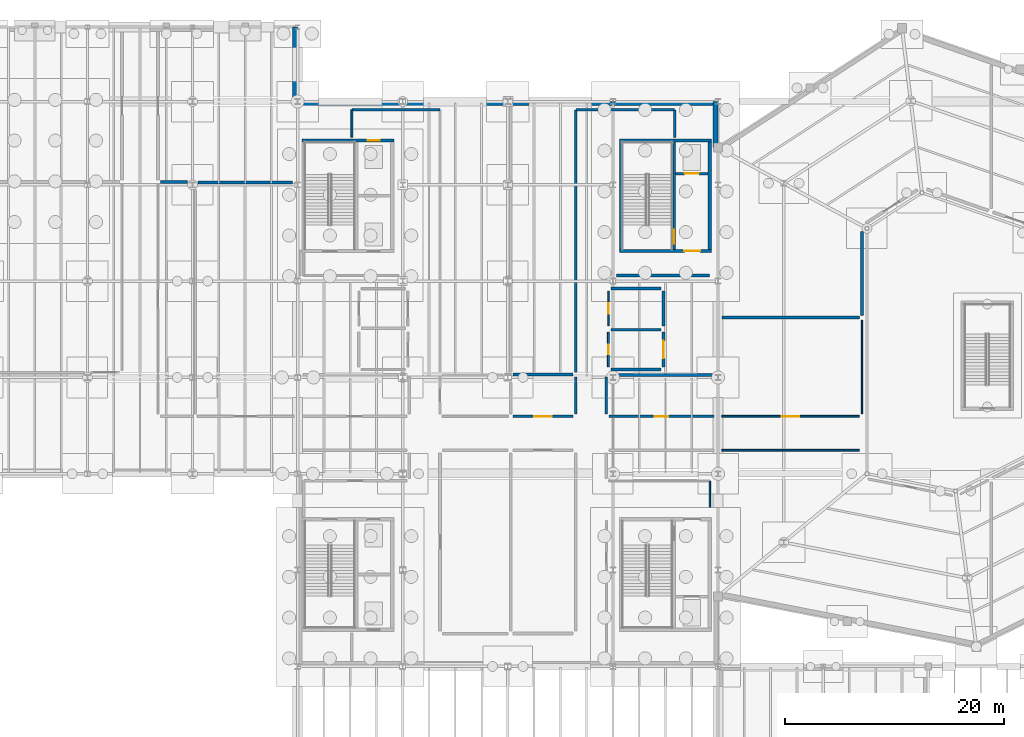
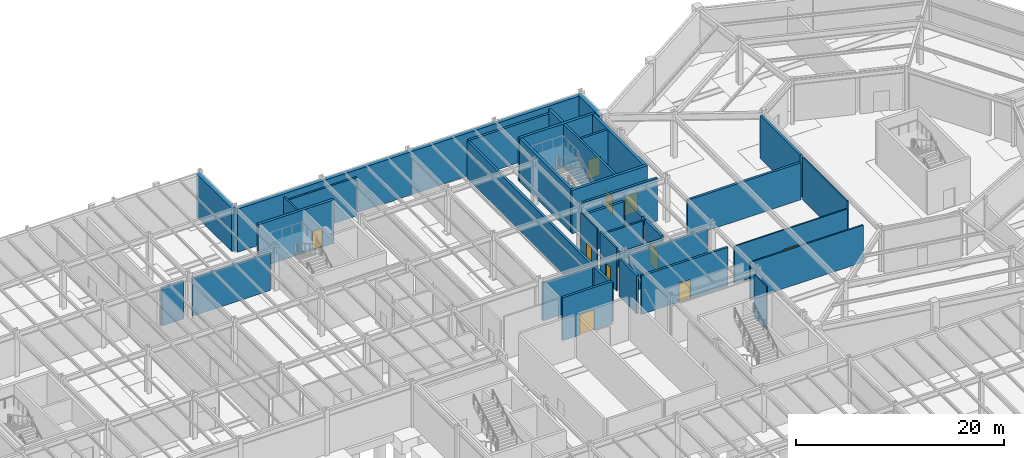
# One storey, part 36 of 48: 37 walls, 10 doors, 10 openings.
"""IFC4 building model written with IfcOpenShell, lengths in metres."""

from ifc_helpers import new_model, si_unit, direction, frame, frame_2d, origin, place, context, subcontext, project, spatial, rectangle, extrude, material, layer, layer_set, type_object, element, fill, save


model = new_model("IFC4")

# Units and contexts
model_context = context("Model", 3, precision=1e-05, world=origin(), true_north=direction((0.0, 1.0)))
body_context = subcontext(model_context, "Body", "Model", "MODEL_VIEW")
ifc_project = project(units=[si_unit("LENGTHUNIT", "METRE"), si_unit("AREAUNIT", "SQUARE_METRE"), si_unit("VOLUMEUNIT", "CUBIC_METRE"), si_unit("PLANEANGLEUNIT", "RADIAN"), si_unit("MASSUNIT", "GRAM", prefix="KILO")], contexts=[model_context])

# Site, building, storey
site_placement = place(None, origin())
site = spatial("IfcSite", under=ifc_project, at=site_placement, CompositionType="ELEMENT")
building_placement = place(site_placement, origin())
building = spatial("IfcBuilding", under=site, at=building_placement, Name="Sarnbrook Museum", CompositionType="ELEMENT")
storey_placement = place(building_placement, frame((0.0, 0.0, -5.39990234375)))
storey = spatial("IfcBuildingStorey", under=building, at=storey_placement, Name="B1", CompositionType="ELEMENT", Elevation=-5.39990234375)

# Wall, opening, door
ifc_material_1 = material(Name="Concrete N50 (AS 3600, f'c = 50 MPa)", Category="concrete")
ifc_layer_1 = layer(ifc_material_1, 0.300048828125)
ifc_layer_set_1 = layer_set([ifc_layer_1], Name="Concrete N50 (AS 3600, f'c = 50 MPa)")
wall_type_1 = type_object("IfcWallType", Name="CoreWall_CWRC", PredefinedType="SHEAR", material=ifc_layer_set_1)
wall_1_placement = place(storey_placement, frame((110.199951171875, 94.75, 0.0), z_axis=(0.0, 0.0, 1.0), x_axis=(1.0, 0.0, 0.0)))
wall_1 = element("IfcWall", 1, at=wall_1_placement, inside=storey, type_object=wall_type_1, Name="Core C2 Shear Wall S B1", PredefinedType="SHEAR", context=body_context, shape_type="SweptSolid", body=[
    extrude(rectangle(XDim=8.400146484375, YDim=0.300048828125, at=frame_2d((4.2001953125, 0.0))), origin(), (0.0, 0.0, 1.0), 5.094970703125),
])
opening_1_placement = place(wall_1_placement, frame((5.925048828125, 0.0, 0.0)))
opening_1 = element("IfcOpeningElement", 2, at=opening_1_placement, cuts=wall_1, Name="Opening D-LOB-C2-B1", PredefinedType="OPENING", context=body_context, shape_type="SweptSolid", body=[
    extrude(rectangle(XDim=1.449951171875, YDim=2.25, at=frame_2d((0.72509765625, 1.125))), frame((0.0, 0.16015625, 0.0), z_axis=(0.0, -1.0, 0.0), x_axis=(1.0, 0.0, 0.0)), (0.0, 0.0, 1.0), 0.320068359375),
])
ifc_material_2 = material(Name="Tasmanian Oak Acoustic Timber", Category="wood")
door_type_1 = type_object("IfcDoorType", Name="FireDoor_FD120W", OperationType="NOTDEFINED", PredefinedType="DOOR", material=ifc_material_2)
door_1_placement = place(opening_1_placement, origin())
door_1 = element("IfcDoor", 3, at=door_1_placement, inside=storey, type_object=door_type_1, Name="Core C2 Fire Lobby Entry Door B1", OperationType="SINGLE_SWING_RIGHT", OverallHeight=2.25, OverallWidth=1.449951171875, PredefinedType="DOOR", context=body_context, shape_type="SweptSolid", body=[
    extrude(rectangle(XDim=1.449951171875, YDim=2.25, at=frame_2d((0.72509765625, 1.125))), frame((0.0, 0.02490234375, 0.0), z_axis=(0.0, -1.0, 0.0), x_axis=(1.0, 0.0, 0.0)), (0.0, 0.0, 1.0), 0.050048828125),
])
fill(opening_1, door_1)

# Walls
wall_2_placement = place(storey_placement, frame((118.60009765625, 104.85009765625, 0.0), z_axis=(0.0, 0.0, 1.0), x_axis=(-1.0, 0.0, 0.0)))
element("IfcWall", 4, at=wall_2_placement, inside=storey, type_object=wall_type_1, Name="Core C2 Shear Wall N B1", PredefinedType="SHEAR", context=body_context, shape_type="SweptSolid", body=[
    extrude(rectangle(XDim=8.400146484375, YDim=0.300048828125, at=frame_2d((4.2001953125, 0.0))), origin(), (0.0, 0.0, 1.0), 5.094970703125),
])
for number, where, z_axis, x_axis, name in (
    (5, (118.449951171875, 94.909912109375, 0.0), (0.0, 0.0, 1.0), (0.0, 1.0, 0.0), "Core C2 Shear Wall E B1"),
    (6, (110.35009765625, 104.68994140625, 0.0), (0.0, 0.0, 1.0), (0.0, -1.0, 0.0), "Core C2 Shear Wall W B1"),
):
    element("IfcWall", number, at=place(storey_placement, frame(where, z_axis=z_axis, x_axis=x_axis)), inside=storey, type_object=wall_type_1, Name=name, PredefinedType="SHEAR", context=body_context, shape_type="SweptSolid", body=[
        extrude(rectangle(XDim=9.780029296875, YDim=0.300048828125, at=frame_2d((4.89013671875, 0.0))), origin(), (0.0, 0.0, 1.0), 5.094970703125),
    ])

# Wall, opening, door
wall_3_placement = place(storey_placement, frame((89.60009765625, 104.85009765625, 0.0), z_axis=(0.0, 0.0, 1.0), x_axis=(-1.0, 0.0, 0.0)))
wall_3 = element("IfcWall", 7, at=wall_3_placement, inside=storey, type_object=wall_type_1, Name="Core C4 Shear Wall N B1", PredefinedType="SHEAR", context=body_context, shape_type="SweptSolid", body=[
    extrude(rectangle(XDim=8.400146484375, YDim=0.300048828125, at=frame_2d((4.2001953125, 0.0))), origin(), (0.0, 0.0, 1.0), 5.094970703125),
])
opening_2_placement = place(wall_3_placement, frame((1.300048828125, 0.0, 0.0)))
opening_2 = element("IfcOpeningElement", 8, at=opening_2_placement, cuts=wall_3, Name="Opening LD-PL4-B1", PredefinedType="OPENING", context=body_context, shape_type="SweptSolid", body=[
    extrude(rectangle(XDim=1.10009765625, YDim=2.199951171875, at=frame_2d((0.550048828125, 1.10009765625))), frame((0.0, 0.16015625, 0.0), z_axis=(0.0, -1.0, 0.0), x_axis=(1.0, 0.0, 0.0)), (0.0, 0.0, 1.0), 0.320068359375),
])
ifc_material_3 = material(Name="Brushed Stainless Steel Grade 316", Category="steel")
door_type_2 = type_object("IfcDoorType", Name="LiftDoor_Pax110", OperationType="DOUBLE_DOOR_SLIDING", PredefinedType="DOOR", material=ifc_material_3)
door_2_placement = place(opening_2_placement, origin())
door_2 = element("IfcDoor", 9, at=door_2_placement, inside=storey, type_object=door_type_2, Name="Lift Landing Sliding Door LD-PL4-B1", OperationType="DOUBLE_DOOR_SLIDING", OverallHeight=2.199951171875, OverallWidth=1.10009765625, PredefinedType="DOOR", context=body_context, shape_type="SweptSolid", body=[
    extrude(rectangle(XDim=1.10009765625, YDim=2.199951171875, at=frame_2d((0.550048828125, 1.10009765625))), frame((0.0, 0.02490234375, 0.0), z_axis=(0.0, -1.0, 0.0), x_axis=(1.0, 0.0, 0.0)), (0.0, 0.0, 1.0), 0.050048828125),
])
fill(opening_2, door_2)

ifc_material_4 = material(Name="Concrete N40 (AS 3600, f'c = 40 MPa)", Category="concrete")
ifc_layer_2 = layer(ifc_material_4, 0.260009765625)
ifc_layer_set_2 = layer_set([ifc_layer_2], Name="Concrete N40 (AS 3600, f'c = 40 MPa)")
wall_type_2 = type_object("IfcWallType", Name="FireWall_FW240", PredefinedType="SOLIDWALL", material=ifc_layer_set_2)
wall_4_placement = place(storey_placement, frame((114.2099609375, 87.330078125, 0.0), z_axis=(0.0, 0.0, 1.0), x_axis=(0.0, -1.0, 0.0)))
wall_4 = element("IfcWall", 10, at=wall_4_placement, inside=storey, type_object=wall_type_2, Name="Interior Partition Wall B1-0003", PredefinedType="SOLIDWALL", context=body_context, shape_type="SweptSolid", body=[
    extrude(rectangle(XDim=3.16015625, YDim=0.260009765625, at=frame_2d((1.580078125, 0.0))), origin(), (0.0, 0.0, 1.0), 4.7138671875),
])
opening_3_placement = place(wall_4_placement, frame((0.780029296875, 0.0, 0.0)))
opening_3 = element("IfcOpeningElement", 11, at=opening_3_placement, cuts=wall_4, Name="Opening D-B1-002", PredefinedType="OPENING", context=body_context, shape_type="SweptSolid", body=[
    extrude(rectangle(XDim=1.60009765625, YDim=2.39990234375, at=frame_2d((0.800048828125, 1.199951171875))), frame((0.0, 0.14013671875, 0.0), z_axis=(0.0, -1.0, 0.0), x_axis=(1.0, 0.0, 0.0)), (0.0, 0.0, 1.0), 0.280029296875),
])
ifc_material_5 = material(Name="Patinated Architectural Bronze")
door_type_3 = type_object("IfcDoorType", Name="FireDoor_FD240", OperationType="NOTDEFINED", PredefinedType="DOOR", material=ifc_material_5)
door_3_placement = place(opening_3_placement, frame((1.60009765625, 0.0, 0.0), z_axis=(0.0, 0.0, 1.0), x_axis=(-1.0, 0.0, 0.0)))
door_3 = element("IfcDoor", 12, at=door_3_placement, inside=storey, type_object=door_type_3, Name="Botany Herbarium Vault B1-14 Door D-B1-002", OperationType="DOUBLE_DOOR_SINGLE_SWING", OverallHeight=2.39990234375, OverallWidth=1.60009765625, PredefinedType="DOOR", context=body_context, shape_type="SweptSolid", body=[
    extrude(rectangle(XDim=1.60009765625, YDim=2.39990234375, at=frame_2d((0.800048828125, 1.199951171875))), frame((0.0, 0.02490234375, 0.0), z_axis=(0.0, -1.0, 0.0), x_axis=(1.0, 0.0, 0.0)), (0.0, 0.0, 1.0), 0.050048828125),
])
fill(opening_3, door_3)

# Walls
for number, where, z_axis, x_axis, name in (
    (13, (113.97998046875, 83.93994140625, 0.0), (0.0, 0.0, 1.0), (-1.0, 0.0, 0.0), "Interior Partition Wall B1-0004"),
    (14, (109.419921875, 91.31005859375, 0.0), (0.0, 0.0, 1.0), (1.0, 0.0, 0.0), "Interior Partition Wall B1-0006"),
):
    element("IfcWall", number, at=place(storey_placement, frame(where, z_axis=z_axis, x_axis=x_axis)), inside=storey, type_object=wall_type_2, Name=name, PredefinedType="SOLIDWALL", context=body_context, shape_type="SweptSolid", body=[
        extrude(rectangle(XDim=4.56005859375, YDim=0.260009765625, at=frame_2d((2.280029296875, 0.0))), origin(), (0.0, 0.0, 1.0), 4.536865234375),
    ])
wall_5_placement = place(storey_placement, frame((114.2099609375, 91.080078125, 0.0), z_axis=(0.0, 0.0, 1.0), x_axis=(0.0, -1.0, 0.0)))
element("IfcWall", 15, at=wall_5_placement, inside=storey, type_object=wall_type_2, Name="Interior Partition Wall B1-0007", PredefinedType="SOLIDWALL", context=body_context, shape_type="SweptSolid", body=[
    extrude(rectangle(XDim=3.16015625, YDim=0.260009765625, at=frame_2d((1.580078125, 0.0))), origin(), (0.0, 0.0, 1.0), 4.7138671875),
])
wall_6_placement = place(storey_placement, frame((132.35009765625, 96.52734375, 0.0), z_axis=(0.0, 0.0, 1.0), x_axis=(0.0, -1.0, 0.0)))
element("IfcWall", 16, at=wall_6_placement, inside=storey, type_object=wall_type_2, Name="Interior Partition Wall B1-0021", PredefinedType="SOLIDWALL", context=body_context, shape_type="SweptSolid", body=[
    extrude(rectangle(XDim=7.674560546875, YDim=0.260009765625, at=frame_2d((3.83740234375, 0.0))), origin(), (0.0, 0.0, 1.0), 5.02978515625),
])

# Wall, opening, door
wall_7_placement = place(storey_placement, frame((105.969970703125, 79.64990234375, 0.0), z_axis=(0.0, 0.0, 1.0), x_axis=(-1.0, 0.0, 0.0)))
wall_7 = element("IfcWall", 17, at=wall_7_placement, inside=storey, type_object=wall_type_2, Name="Interior Partition Wall B1-0054", PredefinedType="SOLIDWALL", context=body_context, shape_type="SweptSolid", body=[
    extrude(rectangle(XDim=5.52001953125, YDim=0.260009765625, at=frame_2d((2.760009765625, 0.0))), origin(), (0.0, 0.0, 1.0), 5.02978515625),
])
opening_4_placement = place(wall_7_placement, frame((1.9599609375, 0.0, 0.0)))
opening_4 = element("IfcOpeningElement", 18, at=opening_4_placement, cuts=wall_7, Name="Opening D-B1-018", PredefinedType="OPENING", context=body_context, shape_type="SweptSolid", body=[
    extrude(rectangle(XDim=1.60009765625, YDim=2.39990234375, at=frame_2d((0.800048828125, 1.199951171875))), frame((0.0, 0.14013671875, 0.0), z_axis=(0.0, -1.0, 0.0), x_axis=(1.0, 0.0, 0.0)), (0.0, 0.0, 1.0), 0.280029296875),
])
door_4_placement = place(opening_4_placement, origin())
door_4 = element("IfcDoor", 19, at=door_4_placement, inside=storey, type_object=door_type_3, Name="Mineralogy Collection Vault B1-13 Door D-B1-018", OperationType="DOUBLE_DOOR_SINGLE_SWING", OverallHeight=2.39990234375, OverallWidth=1.60009765625, PredefinedType="DOOR", context=body_context, shape_type="SweptSolid", body=[
    extrude(rectangle(XDim=1.60009765625, YDim=2.39990234375, at=frame_2d((0.800048828125, 1.199951171875))), frame((0.0, 0.02490234375, 0.0), z_axis=(0.0, -1.0, 0.0), x_axis=(1.0, 0.0, 0.0)), (0.0, 0.0, 1.0), 0.050048828125),
])
fill(opening_4, door_4)

# Walls
wall_8_placement = place(storey_placement, frame((106.199951171875, 83.22998046875, 0.0), z_axis=(0.0, 0.0, 1.0), x_axis=(0.0, -1.0, 0.0)))
element("IfcWall", 20, at=wall_8_placement, inside=storey, type_object=wall_type_2, Name="Interior Partition Wall B1-0055", PredefinedType="SOLIDWALL", context=body_context, shape_type="SweptSolid", body=[
    extrude(rectangle(XDim=3.35009765625, YDim=0.260009765625, at=frame_2d((1.675048828125, 0.0))), origin(), (0.0, 0.0, 1.0), 4.4580078125),
])
wall_9_placement = place(storey_placement, frame((109.94287109375, 92.5, 0.0), z_axis=(0.0, 0.0, 1.0), x_axis=(1.0, 0.0, 0.0)))
element("IfcWall", 21, at=wall_9_placement, inside=storey, type_object=wall_type_2, Name="Interior Partition Wall B1-0056", PredefinedType="SOLIDWALL", context=body_context, shape_type="SweptSolid", body=[
    extrude(rectangle(XDim=8.4970703125, YDim=0.260009765625, at=frame_2d((4.24853515625, 0.0))), origin(), (0.0, 0.0, 1.0), 5.02978515625),
])
wall_10_placement = place(storey_placement, frame((115.25, 105.1201171875, 0.0), z_axis=(0.0, 0.0, 1.0), x_axis=(0.0, 1.0, 0.0)))
element("IfcWall", 22, at=wall_10_placement, inside=storey, type_object=wall_type_2, Name="Interior Partition Wall B1-0057", PredefinedType="SOLIDWALL", context=body_context, shape_type="SweptSolid", body=[
    extrude(rectangle(XDim=2.519775390625, YDim=0.260009765625, at=frame_2d((1.259765625, 0.0))), origin(), (0.0, 0.0, 1.0), 5.02978515625),
])
wall_11_placement = place(storey_placement, frame((115.239990234375, 107.64990234375, 0.0), z_axis=(0.0, 0.0, 1.0), x_axis=(-1.0, 0.0, 0.0)))
element("IfcWall", 23, at=wall_11_placement, inside=storey, type_object=wall_type_2, Name="Interior Partition Wall B1-0058", PredefinedType="SOLIDWALL", context=body_context, shape_type="SweptSolid", body=[
    extrude(rectangle(XDim=9.030029296875, YDim=0.260009765625, at=frame_2d((4.51513671875, 0.0))), origin(), (0.0, 0.0, 1.0), 4.536865234375),
])
wall_12_placement = place(storey_placement, frame((106.199951171875, 107.639892578125, 0.0), z_axis=(0.0, 0.0, 1.0), x_axis=(0.0, -1.0, 0.0)))
element("IfcWall", 24, at=wall_12_placement, inside=storey, type_object=wall_type_2, Name="Interior Partition Wall B1-0059", PredefinedType="SOLIDWALL", context=body_context, shape_type="SweptSolid", body=[
    extrude(rectangle(XDim=23.989990234375, YDim=0.260009765625, at=frame_2d((11.9951171875, 0.0))), origin(), (0.0, 0.0, 1.0), 4.4580078125),
])
wall_13_placement = place(storey_placement, frame((119.56005859375, 88.662841796875, 0.0), z_axis=(0.0, 0.0, 1.0), x_axis=(1.0, 0.0, 0.0)))
element("IfcWall", 25, at=wall_13_placement, inside=storey, type_object=wall_type_2, Name="Interior Partition Wall B1-0115", PredefinedType="SOLIDWALL", context=body_context, shape_type="SweptSolid", body=[
    extrude(rectangle(XDim=12.56005859375, YDim=0.260009765625, at=frame_2d((6.280029296875, 0.0))), origin(), (0.0, 0.0, 1.0), 4.35986328125),
])
wall_14_placement = place(storey_placement, frame((100.47998046875, 83.4599609375, 0.0), z_axis=(0.0, 0.0, 1.0), x_axis=(1.0, 0.0, 0.0)))
element("IfcWall", 26, at=wall_14_placement, inside=storey, type_object=wall_type_2, Name="Interior Partition Wall B1-0123", PredefinedType="SOLIDWALL", context=body_context, shape_type="SweptSolid", body=[
    extrude(rectangle(XDim=5.489990234375, YDim=0.260009765625, at=frame_2d((2.7451171875, 0.0))), origin(), (0.0, 0.0, 1.0), 4.4580078125),
])
wall_15_placement = place(storey_placement, frame((118.719970703125, 83.419921875, 0.0), z_axis=(0.0, 0.0, 1.0), x_axis=(-1.0, 0.0, 0.0)))
element("IfcWall", 27, at=wall_15_placement, inside=storey, type_object=wall_type_2, Name="Interior Partition Wall B1-0124", PredefinedType="SOLIDWALL", context=body_context, shape_type="SweptSolid", body=[
    extrude(rectangle(XDim=8.639892578125, YDim=0.260009765625, at=frame_2d((4.31982421875, 0.0))), origin(), (0.0, 0.0, 1.0), 4.4580078125),
])
wall_16_placement = place(storey_placement, frame((68.280029296875, 101.06005859375, 0.0), z_axis=(0.0, 0.0, 1.0), x_axis=(1.0, 0.0, 0.0)))
element("IfcWall", 28, at=wall_16_placement, inside=storey, type_object=wall_type_2, Name="Interior Partition Wall B1-0135", PredefinedType="SOLIDWALL", context=body_context, shape_type="SweptSolid", body=[
    extrude(rectangle(XDim=2.43994140625, YDim=0.260009765625, at=frame_2d((1.219970703125, 0.0))), origin(), (0.0, 0.0, 1.0), 4.447998046875),
])
wall_17_placement = place(storey_placement, frame((80.320068359375, 101.02001953125, 0.0), z_axis=(0.0, 0.0, 1.0), x_axis=(-1.0, 0.0, 0.0)))
element("IfcWall", 29, at=wall_17_placement, inside=storey, type_object=wall_type_2, Name="Interior Partition Wall B1-0137", PredefinedType="SOLIDWALL", context=body_context, shape_type="SweptSolid", body=[
    extrude(rectangle(XDim=8.64013671875, YDim=0.260009765625, at=frame_2d((4.320068359375, 0.0))), origin(), (0.0, 0.0, 1.0), 4.447998046875),
])

# Wall, opening, door
ifc_material_6 = material(Name="Fire-Rated Acoustic Gypsum Plasterboard")
ifc_layer_3 = layer(ifc_material_6, 0.135009765625)
ifc_layer_set_3 = layer_set([ifc_layer_3], Name="Fire-Rated Acoustic Gypsum Plasterboard")
wall_type_3 = type_object("IfcWallType", Name="PartWall_P135", PredefinedType="PARTITIONING", material=ifc_layer_set_3)
wall_18_placement = place(storey_placement, frame((109.18994140625, 87.919921875, 0.0), z_axis=(0.0, 0.0, 1.0), x_axis=(0.0, 1.0, 0.0)))
wall_18 = element("IfcWall", 30, at=wall_18_placement, inside=storey, type_object=wall_type_3, Name="Interior Partition Wall B1-0005", PredefinedType="PARTITIONING", context=body_context, shape_type="SweptSolid", body=[
    extrude(rectangle(XDim=3.16015625, YDim=0.135009765625, at=frame_2d((1.580078125, 0.0))), origin(), (0.0, 0.0, 1.0), 5.02978515625),
])
opening_5_placement = place(wall_18_placement, frame((1.090087890625, 0.0, 0.0)))
opening_5 = element("IfcOpeningElement", 31, at=opening_5_placement, cuts=wall_18, Name="Opening D-B1-003", PredefinedType="OPENING", context=body_context, shape_type="SweptSolid", body=[
    extrude(rectangle(XDim=0.97998046875, YDim=2.080078125, at=frame_2d((0.489990234375, 1.0400390625))), frame((0.0, 0.07763671875, 0.0), z_axis=(0.0, -1.0, 0.0), x_axis=(1.0, 0.0, 0.0)), (0.0, 0.0, 1.0), 0.155029296875),
])
door_type_4 = type_object("IfcDoorType", Name="IntDoor_DT03", OperationType="NOTDEFINED", PredefinedType="DOOR", material=ifc_material_2)
door_5_placement = place(opening_5_placement, origin())
door_5 = element("IfcDoor", 32, at=door_5_placement, inside=storey, type_object=door_type_4, Name="Public Female Toilets B1 Door D-B1-003", OperationType="SINGLE_SWING_LEFT", OverallHeight=2.080078125, OverallWidth=0.97998046875, PredefinedType="DOOR", context=body_context, shape_type="SweptSolid", body=[
    extrude(rectangle(XDim=0.97998046875, YDim=2.080078125, at=frame_2d((0.489990234375, 1.0400390625))), frame((0.0, 0.02490234375, 0.0), z_axis=(0.0, -1.0, 0.0), x_axis=(1.0, 0.0, 0.0)), (0.0, 0.0, 1.0), 0.050048828125),
])
fill(opening_5, door_5)

# Walls
wall_19_placement = place(storey_placement, frame((132.35009765625, 88.432861328125, 0.0), z_axis=(0.0, 0.0, 1.0), x_axis=(0.0, -1.0, 0.0)))
element("IfcWall", 33, at=wall_19_placement, inside=storey, type_object=wall_type_3, Name="Interior Partition Wall B1-0019", PredefinedType="PARTITIONING", context=body_context, shape_type="SweptSolid", body=[
    extrude(rectangle(XDim=8.552978515625, YDim=0.135009765625, at=frame_2d((4.2763671875, 0.0))), origin(), (0.0, 0.0, 1.0), 5.02978515625),
])
wall_20_placement = place(storey_placement, frame((118.449951171875, 71.342041015625, 0.0), z_axis=(0.0, 0.0, 1.0), x_axis=(0.0, 1.0, 0.0)))
element("IfcWall", 34, at=wall_20_placement, inside=storey, type_object=wall_type_3, Name="Interior Partition Wall B1-0047", PredefinedType="PARTITIONING", context=body_context, shape_type="SweptSolid", body=[
    extrude(rectangle(XDim=2.39794921875, YDim=0.135009765625, at=frame_2d((1.198974609375, 0.0))), origin(), (0.0, 0.0, 1.0), 5.02978515625),
])

# Wall, opening, door
ifc_layer_4 = layer(ifc_material_6, 0.14990234375)
ifc_layer_set_4 = layer_set([ifc_layer_4], Name="Fire-Rated Acoustic Gypsum Plasterboard")
wall_type_4 = type_object("IfcWallType", Name="PartWall_P150", PredefinedType="PARTITIONING", material=ifc_layer_set_4)
wall_21_placement = place(storey_placement, frame((132.1201171875, 79.64990234375, 0.0), z_axis=(0.0, 0.0, 1.0), x_axis=(-1.0, 0.0, 0.0)))
wall_21 = element("IfcWall", 35, at=wall_21_placement, inside=storey, type_object=wall_type_4, Name="Interior Partition Wall B1-0018", PredefinedType="PARTITIONING", context=body_context, shape_type="SweptSolid", body=[
    extrude(rectangle(XDim=12.56005859375, YDim=0.14990234375, at=frame_2d((6.280029296875, 0.0))), origin(), (0.0, 0.0, 1.0), 4.35986328125),
])
opening_6_placement = place(wall_21_placement, frame((5.47998046875, 0.0, 0.0)))
opening_6 = element("IfcOpeningElement", 36, at=opening_6_placement, cuts=wall_21, Name="Opening D-B1-008", PredefinedType="OPENING", context=body_context, shape_type="SweptSolid", body=[
    extrude(rectangle(XDim=1.60009765625, YDim=2.10009765625, at=frame_2d((0.800048828125, 1.050048828125))), frame((0.0, 0.0849609375, 0.0), z_axis=(0.0, -1.0, 0.0), x_axis=(1.0, 0.0, 0.0)), (0.0, 0.0, 1.0), 0.169921875),
])
door_type_5 = type_object("IfcDoorType", Name="ServiceGate_G1", OperationType="NOTDEFINED", PredefinedType="GATE", material=ifc_material_5)
door_6_placement = place(opening_6_placement, origin())
door_6 = element("IfcDoor", 37, at=door_6_placement, inside=storey, type_object=door_type_5, Name="Crate Acclimatisation Store B1-2 Door D-B1-008", OperationType="DOUBLE_DOOR_SINGLE_SWING", OverallHeight=2.10009765625, OverallWidth=1.60009765625, PredefinedType="GATE", context=body_context, shape_type="SweptSolid", body=[
    extrude(rectangle(XDim=1.60009765625, YDim=2.10009765625, at=frame_2d((0.800048828125, 1.050048828125))), frame((0.0, 0.02490234375, 0.0), z_axis=(0.0, -1.0, 0.0), x_axis=(1.0, 0.0, 0.0)), (0.0, 0.0, 1.0), 0.050048828125),
])
fill(opening_6, door_6)

# Wall
ifc_layer_5 = layer(ifc_material_6, 0.1650390625)
ifc_layer_set_5 = layer_set([ifc_layer_5], Name="Fire-Rated Acoustic Gypsum Plasterboard")
wall_type_5 = type_object("IfcWallType", Name="PartWall_P165", PredefinedType="PARTITIONING", material=ifc_layer_set_5)
wall_22_placement = place(storey_placement, frame((119.56005859375, 76.550048828125, 0.0), z_axis=(0.0, 0.0, 1.0), x_axis=(1.0, 0.0, 0.0)))
element("IfcWall", 38, at=wall_22_placement, inside=storey, type_object=wall_type_5, Name="Interior Partition Wall B1-0017", PredefinedType="PARTITIONING", context=body_context, shape_type="SweptSolid", body=[
    extrude(rectangle(XDim=12.56005859375, YDim=0.1650390625, at=frame_2d((6.280029296875, 0.0))), origin(), (0.0, 0.0, 1.0), 4.35986328125),
])

# Wall, opening, door
ifc_layer_6 = layer(ifc_material_6, 0.179931640625)
ifc_layer_set_6 = layer_set([ifc_layer_6], Name="Fire-Rated Acoustic Gypsum Plasterboard")
wall_type_6 = type_object("IfcWallType", Name="PartWall_P180", PredefinedType="PARTITIONING", material=ifc_layer_set_6)
wall_23_placement = place(storey_placement, frame((109.18994140625, 84.169921875, 0.0), z_axis=(0.0, 0.0, 1.0), x_axis=(0.0, 1.0, 0.0)))
wall_23 = element("IfcWall", 39, at=wall_23_placement, inside=storey, type_object=wall_type_6, Name="Interior Partition Wall B1-0002", PredefinedType="PARTITIONING", context=body_context, shape_type="SweptSolid", body=[
    extrude(rectangle(XDim=3.16015625, YDim=0.179931640625, at=frame_2d((1.580078125, 0.0))), origin(), (0.0, 0.0, 1.0), 5.02978515625),
])
opening_7_placement = place(wall_23_placement, frame((1.1298828125, 0.0, 0.0)))
opening_7 = element("IfcOpeningElement", 40, at=opening_7_placement, cuts=wall_23, Name="Opening D-B1-001", PredefinedType="OPENING", context=body_context, shape_type="SweptSolid", body=[
    extrude(rectangle(XDim=0.89990234375, YDim=2.080078125, at=frame_2d((0.449951171875, 1.0400390625))), frame((0.0, 0.10009765625, 0.0), z_axis=(0.0, -1.0, 0.0), x_axis=(1.0, 0.0, 0.0)), (0.0, 0.0, 1.0), 0.199951171875),
])
door_type_6 = type_object("IfcDoorType", Name="IntDoor_DT01", OperationType="NOTDEFINED", PredefinedType="DOOR", material=ifc_material_2)
door_7_placement = place(opening_7_placement, origin())
door_7 = element("IfcDoor", 41, at=door_7_placement, inside=storey, type_object=door_type_6, Name="Public Male Toilets B1 Door D-B1-001", OperationType="SINGLE_SWING_RIGHT", OverallHeight=2.080078125, OverallWidth=0.89990234375, PredefinedType="DOOR", context=body_context, shape_type="SweptSolid", body=[
    extrude(rectangle(XDim=0.89990234375, YDim=2.080078125, at=frame_2d((0.449951171875, 1.0400390625))), frame((0.0, 0.02490234375, 0.0), z_axis=(0.0, -1.0, 0.0), x_axis=(1.0, 0.0, 0.0)), (0.0, 0.0, 1.0), 0.050048828125),
])
fill(opening_7, door_7)

# Walls
wall_24_placement = place(storey_placement, frame((85.75, 107.639892578125, 0.0), z_axis=(0.0, 0.0, 1.0), x_axis=(0.0, -1.0, 0.0)))
element("IfcWall", 42, at=wall_24_placement, inside=storey, type_object=wall_type_6, Name="Interior Partition Wall B1-0037", PredefinedType="PARTITIONING", context=body_context, shape_type="SweptSolid", body=[
    extrude(rectangle(XDim=2.519775390625, YDim=0.179931640625, at=frame_2d((1.259765625, 0.0))), origin(), (0.0, 0.0, 1.0), 5.02978515625),
])
ifc_layer_7 = layer(ifc_material_6, 0.195068359375)
ifc_layer_set_7 = layer_set([ifc_layer_7], Name="Fire-Rated Acoustic Gypsum Plasterboard")
wall_type_7 = type_object("IfcWallType", Name="PartWall_P195", PredefinedType="PARTITIONING", material=ifc_layer_set_7)
wall_25_placement = place(storey_placement, frame((109.419921875, 87.56005859375, 0.0), z_axis=(0.0, 0.0, 1.0), x_axis=(1.0, 0.0, 0.0)))
element("IfcWall", 43, at=wall_25_placement, inside=storey, type_object=wall_type_7, Name="Interior Partition Wall B1-0001", PredefinedType="PARTITIONING", context=body_context, shape_type="SweptSolid", body=[
    extrude(rectangle(XDim=4.56005859375, YDim=0.195068359375, at=frame_2d((2.280029296875, 0.0))), origin(), (0.0, 0.0, 1.0), 4.536865234375),
])
wall_26_placement = place(storey_placement, frame((93.7900390625, 107.64990234375, 0.0), z_axis=(0.0, 0.0, 1.0), x_axis=(-1.0, 0.0, 0.0)))
element("IfcWall", 44, at=wall_26_placement, inside=storey, type_object=wall_type_7, Name="Interior Partition Wall B1-0036", PredefinedType="PARTITIONING", context=body_context, shape_type="SweptSolid", body=[
    extrude(rectangle(XDim=8.030029296875, YDim=0.195068359375, at=frame_2d((4.01513671875, 0.0))), origin(), (0.0, 0.0, 1.0), 4.536865234375),
])

# Wall, opening, door
ifc_layer_8 = layer(ifc_material_4, 0.239990234375)
ifc_layer_set_8 = layer_set([ifc_layer_8], Name="Concrete N40 (AS 3600, f'c = 40 MPa)")
wall_type_8 = type_object("IfcWallType", Name="ShaftWall_SWRC", PredefinedType="SOLIDWALL", material=ifc_layer_set_8)
wall_27_placement = place(storey_placement, frame((115.18994140625, 94.909912109375, 0.0), z_axis=(0.0, 0.0, 1.0), x_axis=(0.0, 1.0, 0.0)))
wall_27 = element("IfcWall", 45, at=wall_27_placement, inside=storey, type_object=wall_type_8, Name="Stairwell ST2 Fire Shaft Wall B1", PredefinedType="SOLIDWALL", context=body_context, shape_type="SweptSolid", body=[
    extrude(rectangle(XDim=9.780029296875, YDim=0.239990234375, at=frame_2d((4.89013671875, 0.0))), origin(), (0.0, 0.0, 1.0), 5.094970703125),
])
opening_8_placement = place(wall_27_placement, frame((0.514892578125, 0.0, 0.0)))
opening_8 = element("IfcOpeningElement", 46, at=opening_8_placement, cuts=wall_27, Name="Opening D-ST-ST2-B1", PredefinedType="OPENING", context=body_context, shape_type="SweptSolid", body=[
    extrude(rectangle(XDim=1.25, YDim=2.199951171875, at=frame_2d((0.625, 1.10009765625))), frame((0.0, 0.1298828125, 0.0), z_axis=(0.0, -1.0, 0.0), x_axis=(1.0, 0.0, 0.0)), (0.0, 0.0, 1.0), 0.260009765625),
])
door_type_7 = type_object("IfcDoorType", Name="FireDoor_FD120", OperationType="NOTDEFINED", PredefinedType="DOOR", material=ifc_material_2)
door_8_placement = place(opening_8_placement, origin())
door_8 = element("IfcDoor", 47, at=door_8_placement, inside=storey, type_object=door_type_7, Name="Exit Stair ST2 Fire Door B1", OperationType="SINGLE_SWING_LEFT", OverallHeight=2.199951171875, OverallWidth=1.25, PredefinedType="DOOR", context=body_context, shape_type="SweptSolid", body=[
    extrude(rectangle(XDim=1.25, YDim=2.199951171875, at=frame_2d((0.625, 1.10009765625))), frame((0.0, 0.02490234375, 0.0), z_axis=(0.0, -1.0, 0.0), x_axis=(1.0, 0.0, 0.0)), (0.0, 0.0, 1.0), 0.050048828125),
])
fill(opening_8, door_8)

wall_28_placement = place(storey_placement, frame((115.320068359375, 101.820068359375, 0.0), z_axis=(0.0, 0.0, 1.0), x_axis=(1.0, 0.0, 0.0)))
wall_28 = element("IfcWall", 48, at=wall_28_placement, inside=storey, type_object=wall_type_8, Name="Lift EL2 Shaft Front Wall B1", PredefinedType="SOLIDWALL", context=body_context, shape_type="SweptSolid", body=[
    extrude(rectangle(XDim=2.969970703125, YDim=0.239990234375, at=frame_2d((1.48486328125, 0.0))), origin(), (0.0, 0.0, 1.0), 5.094970703125),
])
opening_9_placement = place(wall_28_placement, frame((0.8349609375, 0.0, 0.0)))
opening_9 = element("IfcOpeningElement", 49, at=opening_9_placement, cuts=wall_28, Name="Opening LD-EL2-B1", PredefinedType="OPENING", context=body_context, shape_type="SweptSolid", body=[
    extrude(rectangle(XDim=1.300048828125, YDim=2.25, at=frame_2d((0.64990234375, 1.125))), frame((0.0, 0.1298828125, 0.0), z_axis=(0.0, -1.0, 0.0), x_axis=(1.0, 0.0, 0.0)), (0.0, 0.0, 1.0), 0.260009765625),
])
door_type_8 = type_object("IfcDoorType", Name="LiftDoor_FF130", OperationType="DOUBLE_DOOR_SLIDING", PredefinedType="DOOR", material=ifc_material_3)
door_9_placement = place(opening_9_placement, origin())
door_9 = element("IfcDoor", 50, at=door_9_placement, inside=storey, type_object=door_type_8, Name="Lift Landing Sliding Door LD-EL2-B1", OperationType="DOUBLE_DOOR_SLIDING", OverallHeight=2.25, OverallWidth=1.300048828125, PredefinedType="DOOR", context=body_context, shape_type="SweptSolid", body=[
    extrude(rectangle(XDim=1.300048828125, YDim=2.25, at=frame_2d((0.64990234375, 1.125))), frame((0.0, 0.02490234375, 0.0), z_axis=(0.0, -1.0, 0.0), x_axis=(1.0, 0.0, 0.0)), (0.0, 0.0, 1.0), 0.050048828125),
])
fill(opening_9, door_9)

wall_29_placement = place(storey_placement, frame((118.840087890625, 79.64990234375, 0.0), z_axis=(0.0, 0.0, 1.0), x_axis=(-1.0, 0.0, 0.0)))
wall_29 = element("IfcWall", 51, at=wall_29_placement, inside=storey, type_object=wall_type_8, Name="Interior Partition Wall B1-0060", PredefinedType="SOLIDWALL", context=body_context, shape_type="SweptSolid", body=[
    extrude(rectangle(XDim=9.610107421875, YDim=0.239990234375, at=frame_2d((4.80517578125, 0.0))), origin(), (0.0, 0.0, 1.0), 4.536865234375),
])
opening_10_placement = place(wall_29_placement, frame((4.179931640625, 0.0, 0.0)))
opening_10 = element("IfcOpeningElement", 52, at=opening_10_placement, cuts=wall_29, Name="Opening D-B1-019", PredefinedType="OPENING", context=body_context, shape_type="SweptSolid", body=[
    extrude(rectangle(XDim=1.25, YDim=2.199951171875, at=frame_2d((0.625, 1.10009765625))), frame((0.0, 0.1298828125, 0.0), z_axis=(0.0, -1.0, 0.0), x_axis=(1.0, 0.0, 0.0)), (0.0, 0.0, 1.0), 0.260009765625),
])
door_10_placement = place(opening_10_placement, origin())
door_10 = element("IfcDoor", 53, at=door_10_placement, inside=storey, type_object=door_type_7, Name="Chiller & Thermal Plant Room B1-15 Door D-B1-019", OperationType="SINGLE_SWING_RIGHT", OverallHeight=2.199951171875, OverallWidth=1.25, PredefinedType="DOOR", context=body_context, shape_type="SweptSolid", body=[
    extrude(rectangle(XDim=1.25, YDim=2.199951171875, at=frame_2d((0.625, 1.10009765625))), frame((0.0, 0.02490234375, 0.0), z_axis=(0.0, -1.0, 0.0), x_axis=(1.0, 0.0, 0.0)), (0.0, 0.0, 1.0), 0.050048828125),
])
fill(opening_10, door_10)

# Walls
wall_30_placement = place(storey_placement, frame((109.0, 79.8798828125, 0.0), z_axis=(0.0, 0.0, 1.0), x_axis=(0.0, 1.0, 0.0)))
element("IfcWall", 54, at=wall_30_placement, inside=storey, type_object=wall_type_8, Name="Interior Partition Wall B1-0061", PredefinedType="SOLIDWALL", context=body_context, shape_type="SweptSolid", body=[
    extrude(rectangle(XDim=3.35009765625, YDim=0.239990234375, at=frame_2d((1.675048828125, 0.0))), origin(), (0.0, 0.0, 1.0), 4.4580078125),
])
ifc_layer_9 = layer(ifc_material_4, 0.3798828125)
ifc_layer_set_9 = layer_set([ifc_layer_9], Name="Concrete N40 (AS 3600, f'c = 40 MPa)")
wall_type_9 = type_object("IfcWallType", Name="Wall_RetainingRC380", PredefinedType="USERDEFINED", material=ifc_layer_set_9)
wall_31_placement = place(storey_placement, frame((119.00390625, 108.2099609375, 0.0), z_axis=(0.0, 0.0, 1.0), x_axis=(-1.0, 0.0, 0.0)))
element("IfcWall", 55, at=wall_31_placement, inside=storey, type_object=wall_type_9, Name="Basement Perimeter Retaining Wall RW-16", ObjectType="RETAININGWALL", PredefinedType="USERDEFINED", context=body_context, shape_type="SweptSolid", body=[
    extrude(rectangle(XDim=38.203857421875, YDim=0.3798828125, at=frame_2d((19.10205078125, 0.0))), origin(), (0.0, 0.0, 1.0), 5.059814453125),
])
ifc_layer_10 = layer(ifc_material_4, 0.449951171875)
ifc_layer_set_10 = layer_set([ifc_layer_10], Name="Concrete N40 (AS 3600, f'c = 40 MPa)")
wall_type_10 = type_object("IfcWallType", Name="Wall_RetainingRC450", PredefinedType="USERDEFINED", material=ifc_layer_set_10)
wall_32_placement = place(storey_placement, frame((118.97509765625, 104.199951171875, 0.0), z_axis=(0.0, 0.0, 1.0), x_axis=(0.0, 1.0, 0.0)))
element("IfcWall", 56, at=wall_32_placement, inside=storey, type_object=wall_type_10, Name="Basement Perimeter Retaining Wall RW-15", ObjectType="RETAININGWALL", PredefinedType="USERDEFINED", context=body_context, shape_type="SweptSolid", body=[
    extrude(rectangle(XDim=4.199951171875, YDim=0.449951171875, at=frame_2d((2.10009765625, 0.0))), origin(), (0.0, 0.0, 1.0), 5.059814453125),
])
wall_33_placement = place(storey_placement, frame((80.574951171875, 108.39990234375, 0.0), z_axis=(0.0, 0.0, 1.0), x_axis=(0.0, 1.0, 0.0)))
element("IfcWall", 57, at=wall_33_placement, inside=storey, type_object=wall_type_10, Name="Basement Perimeter Retaining Wall RW-17", ObjectType="RETAININGWALL", PredefinedType="USERDEFINED", context=body_context, shape_type="SweptSolid", body=[
    extrude(rectangle(XDim=6.800048828125, YDim=0.449951171875, at=frame_2d((3.39990234375, 0.0))), origin(), (0.0, 0.0, 1.0), 5.059814453125),
])

save(model, "model.ifc")
